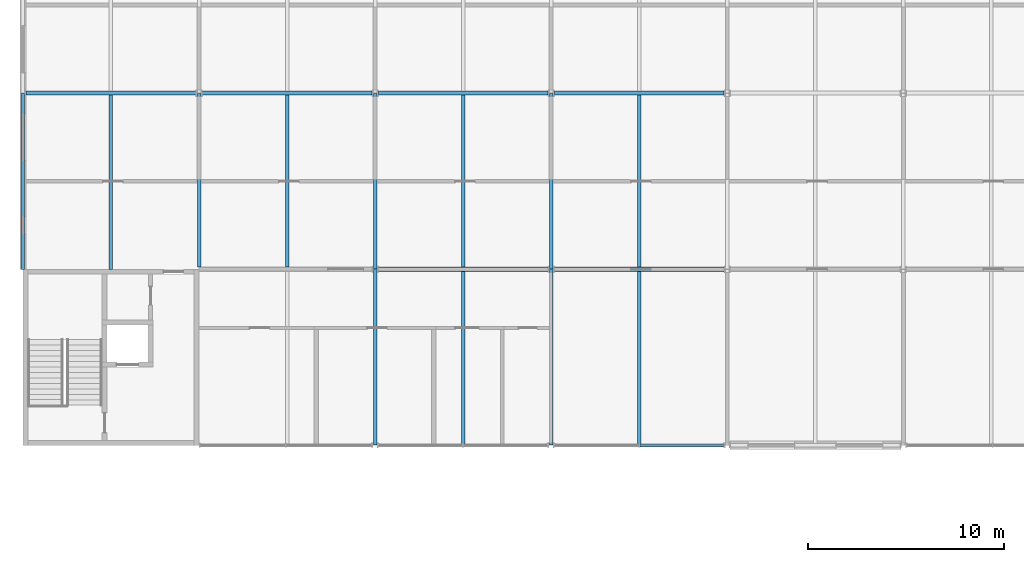
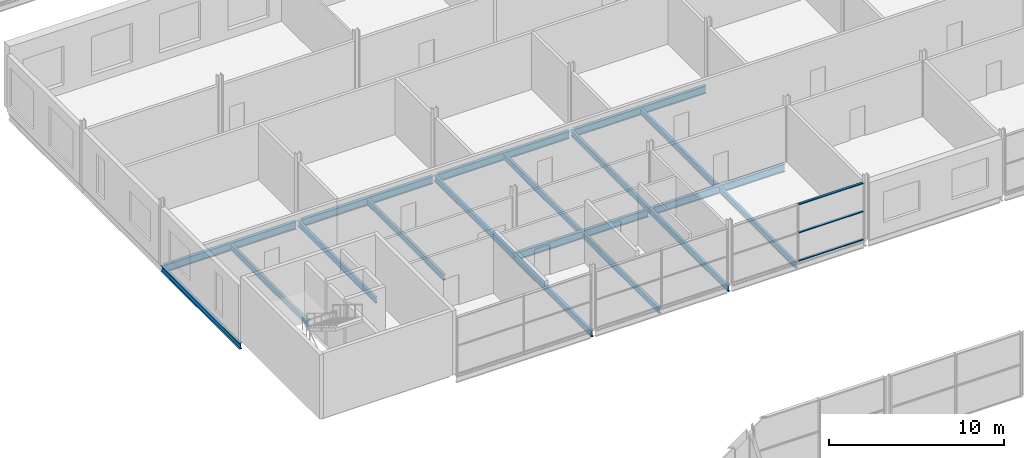
# One storey, part 31 of 97: 18 beams, 3 members, 1 element without a shape of its own.
"""IFC4 building model written with IfcOpenShell, lengths in metres."""

from ifc_helpers import new_model, si_unit, direction, frame, origin, origin_2d, place, context, subcontext, project, spatial, rectangle, i_section, extrude, material, layer, layer_set, material_profile, profile_set, type_object, element, aggregate, save


model = new_model("IFC4")

# Units and contexts
model_context = context("Model", 3, precision=1e-05, world=origin(), true_north=direction((0.0, 1.0)))
body_context = subcontext(model_context, "Body", "Model", "MODEL_VIEW")
ifc_project = project(units=[si_unit("LENGTHUNIT", "METRE"), si_unit("AREAUNIT", "SQUARE_METRE"), si_unit("VOLUMEUNIT", "CUBIC_METRE"), si_unit("PLANEANGLEUNIT", "RADIAN"), si_unit("MASSUNIT", "GRAM", prefix="KILO")], contexts=[model_context])

# Site, building, storey
site_placement = place(None, origin())
site = spatial("IfcSite", under=ifc_project, at=site_placement, CompositionType="ELEMENT")
building_placement = place(site_placement, origin())
building = spatial("IfcBuilding", under=site, at=building_placement, Name="Corbel Yard City Hall", CompositionType="ELEMENT")
storey_placement = place(building_placement, frame((0.0, 0.0, 6.0)))
storey = spatial("IfcBuildingStorey", under=building, at=storey_placement, Name="L01", CompositionType="ELEMENT", Elevation=6.0)

# Beams
ifc_material_1 = material(Name="Steel Grade 300 (300 MPa yield)", Category="steel")
ifc_material_profile_1 = material_profile(ifc_material_1, i_section(OverallWidth=0.177978515625, OverallDepth=0.403076171875, WebThickness=0.007568359375, FlangeThickness=0.010986328125, at=origin_2d()), Name="410UB53.7")
ifc_profile_set_1 = profile_set([ifc_material_profile_1], Name="Steel Grade 300 (300 MPa yield)")
beam_type_1 = type_object("IfcBeamType", Name="Beam 410UB53.7", PredefinedType="BEAM", material=ifc_profile_set_1)
beam_1_placement = place(storey_placement, frame((9.0, 54.1044921875, -0.3515625), z_axis=(0.0, 1.0, 0.0), x_axis=(-1.0, 0.0, 0.0)))
element("IfcBeam", 1, at=beam_1_placement, inside=storey, type_object=beam_type_1, Name="Beam 410UB53.7 SB6 L01floor", PredefinedType="BEAM", context=body_context, shape_type="SweptSolid", body=[
    extrude(i_section(OverallWidth=0.177978515625, OverallDepth=0.403076171875, WebThickness=0.007568359375, FlangeThickness=0.010986328125, at=origin_2d()), origin(), (0.0, 0.0, 1.0), 8.8876953125),
])
beam_2_placement = place(storey_placement, frame((18.0, 45.005859375, -0.3515625), z_axis=(0.0, 1.0, 0.0), x_axis=(-1.0, 0.0, 0.0)))
element("IfcBeam", 2, at=beam_2_placement, inside=storey, type_object=beam_type_1, Name="Beam 410UB53.7 SB6 L01floor", PredefinedType="BEAM", context=body_context, shape_type="SweptSolid", body=[
    extrude(i_section(OverallWidth=0.177978515625, OverallDepth=0.403076171875, WebThickness=0.007568359375, FlangeThickness=0.010986328125, at=origin_2d()), origin(), (0.0, 0.0, 1.0), 8.986328125),
])
beam_3_placement = place(storey_placement, frame((18.0, 54.0078125, -0.3515625), z_axis=(0.0, 1.0, 0.0), x_axis=(-1.0, 0.0, 0.0)))
element("IfcBeam", 3, at=beam_3_placement, inside=storey, type_object=beam_type_1, Name="Beam 410UB53.7 SB6 L01floor", PredefinedType="BEAM", context=body_context, shape_type="SweptSolid", body=[
    extrude(i_section(OverallWidth=0.177978515625, OverallDepth=0.403076171875, WebThickness=0.007568359375, FlangeThickness=0.010986328125, at=origin_2d()), origin(), (0.0, 0.0, 1.0), 8.984375),
])
beam_4_placement = place(storey_placement, frame((27.0, 45.005859375, -0.3515625), z_axis=(0.0, 1.0, 0.0), x_axis=(-1.0, 0.0, 0.0)))
element("IfcBeam", 4, at=beam_4_placement, inside=storey, type_object=beam_type_1, Name="Beam 410UB53.7 SB6 L01floor", PredefinedType="BEAM", context=body_context, shape_type="SweptSolid", body=[
    extrude(i_section(OverallWidth=0.177978515625, OverallDepth=0.403076171875, WebThickness=0.007568359375, FlangeThickness=0.010986328125, at=origin_2d()), origin(), (0.0, 0.0, 1.0), 8.986328125),
])
beam_5_placement = place(storey_placement, frame((27.0, 54.0078125, -0.3515625), z_axis=(0.0, 1.0, 0.0), x_axis=(-1.0, 0.0, 0.0)))
element("IfcBeam", 5, at=beam_5_placement, inside=storey, type_object=beam_type_1, Name="Beam 410UB53.7 SB6 L01floor", PredefinedType="BEAM", context=body_context, shape_type="SweptSolid", body=[
    extrude(i_section(OverallWidth=0.177978515625, OverallDepth=0.403076171875, WebThickness=0.007568359375, FlangeThickness=0.010986328125, at=origin_2d()), origin(), (0.0, 0.0, 1.0), 8.984375),
])
ifc_material_profile_2 = material_profile(ifc_material_1, i_section(OverallWidth=0.177978515625, OverallDepth=0.406005859375, WebThickness=0.0078125, FlangeThickness=0.0126953125, at=origin_2d()), Name="410UB59.7")
ifc_profile_set_2 = profile_set([ifc_material_profile_2], Name="Steel Grade 300 (300 MPa yield)")
beam_type_2 = type_object("IfcBeamType", Name="Edge beam 410UB59.7", PredefinedType="BEAM", material=ifc_profile_set_2)
beam_6_placement = place(storey_placement, frame((0.0, 54.0, -0.35302734375), z_axis=(0.0, 1.0, 0.0), x_axis=(-1.0, 0.0, 0.0)))
element("IfcBeam", 6, at=beam_6_placement, inside=storey, type_object=beam_type_2, Name="Edge beam 410UB59.7 EB2 L01floor", PredefinedType="BEAM", context=body_context, shape_type="SweptSolid", body=[
    extrude(i_section(OverallWidth=0.177978515625, OverallDepth=0.406005859375, WebThickness=0.0078125, FlangeThickness=0.0126953125, at=origin_2d()), origin(), (0.0, 0.0, 1.0), 8.994140625),
])
ifc_material_profile_3 = material_profile(ifc_material_1, i_section(OverallWidth=0.208984375, OverallDepth=0.528076171875, WebThickness=0.009521484375, FlangeThickness=0.01318359375, at=origin_2d()), Name="530UB82.0")
ifc_profile_set_3 = profile_set([ifc_material_profile_3], Name="Steel Grade 300 (300 MPa yield)")
beam_type_3 = type_object("IfcBeamType", Name="Girder 530UB82.0", PredefinedType="BEAM", material=ifc_profile_set_3)
for number, where, z_axis, x_axis, name in (
    (7, (18.16357421875, 54.0, -0.4140625), (1.0, 0.0, 0.0), (0.0, 1.0, 0.0), "Girder 530UB82.0 GB3 L01floor"),
    (8, (27.16357421875, 54.0, -0.4140625), (1.0, 0.0, 0.0), (0.0, 1.0, 0.0), "Girder 530UB82.0 GB3 L01floor"),
):
    element("IfcBeam", number, at=place(storey_placement, frame(where, z_axis=z_axis, x_axis=x_axis)), inside=storey, type_object=beam_type_3, Name=name, PredefinedType="BEAM", context=body_context, shape_type="SweptSolid", body=[
        extrude(i_section(OverallWidth=0.208984375, OverallDepth=0.528076171875, WebThickness=0.009521484375, FlangeThickness=0.01318359375, at=origin_2d()), origin(), (0.0, 0.0, 1.0), 8.6728515625),
    ])
beam_7_placement = place(storey_placement, frame((0.157470703125, 63.0, -0.4140625), z_axis=(1.0, 0.0, 0.0), x_axis=(0.0, 1.0, 0.0)))
element("IfcBeam", 9, at=beam_7_placement, inside=storey, type_object=beam_type_3, Name="Girder 530UB82.0 GB3 L01floor", PredefinedType="BEAM", context=body_context, shape_type="SweptSolid", body=[
    extrude(i_section(OverallWidth=0.208984375, OverallDepth=0.528076171875, WebThickness=0.009521484375, FlangeThickness=0.01318359375, at=origin_2d()), origin(), (0.0, 0.0, 1.0), 8.678955078125),
])
for number, where, z_axis, x_axis, name in (
    (10, (9.16357421875, 63.0, -0.4140625), (1.0, 0.0, 0.0), (0.0, 1.0, 0.0), "Girder 530UB82.0 GB3 L01floor"),
    (11, (18.16357421875, 63.0, -0.4140625), (1.0, 0.0, 0.0), (0.0, 1.0, 0.0), "Girder 530UB82.0 GB3 L01floor"),
    (12, (27.16357421875, 63.0, -0.4140625), (1.0, 0.0, 0.0), (0.0, 1.0, 0.0), "Girder 530UB82.0 GB3 L01floor"),
):
    element("IfcBeam", number, at=place(storey_placement, frame(where, z_axis=z_axis, x_axis=x_axis)), inside=storey, type_object=beam_type_3, Name=name, PredefinedType="BEAM", context=body_context, shape_type="SweptSolid", body=[
        extrude(i_section(OverallWidth=0.208984375, OverallDepth=0.528076171875, WebThickness=0.009521484375, FlangeThickness=0.01318359375, at=origin_2d()), origin(), (0.0, 0.0, 1.0), 8.6728515625),
    ])
ifc_material_profile_4 = material_profile(ifc_material_1, i_section(OverallWidth=0.177978515625, OverallDepth=0.403076171875, WebThickness=0.007568359375, FlangeThickness=0.010986328125, at=origin_2d()), Name="410UB53.7")
ifc_profile_set_4 = profile_set([ifc_material_profile_4], Name="Steel Grade 300 (300 MPa yield)")
beam_type_4 = type_object("IfcBeamType", Name="Secondary beam 410UB53.7", PredefinedType="JOIST", material=ifc_profile_set_4)
beam_8_placement = place(storey_placement, frame((4.5, 54.0, -0.3515625), z_axis=(0.0, 1.0, 0.0), x_axis=(-1.0, 0.0, 0.0)))
element("IfcBeam", 13, at=beam_8_placement, inside=storey, type_object=beam_type_4, Name="Secondary beam 410UB53.7 SB5 L01floor", PredefinedType="JOIST", context=body_context, shape_type="SweptSolid", body=[
    extrude(i_section(OverallWidth=0.177978515625, OverallDepth=0.403076171875, WebThickness=0.007568359375, FlangeThickness=0.010986328125, at=origin_2d()), origin(), (0.0, 0.0, 1.0), 8.8955078125),
])
beam_9_placement = place(storey_placement, frame((13.5, 54.1044921875, -0.3515625), z_axis=(0.0, 1.0, 0.0), x_axis=(-1.0, 0.0, 0.0)))
element("IfcBeam", 14, at=beam_9_placement, inside=storey, type_object=beam_type_4, Name="Secondary beam 410UB53.7 SB5 L01floor", PredefinedType="JOIST", context=body_context, shape_type="SweptSolid", body=[
    extrude(i_section(OverallWidth=0.177978515625, OverallDepth=0.403076171875, WebThickness=0.007568359375, FlangeThickness=0.010986328125, at=origin_2d()), origin(), (0.0, 0.0, 1.0), 8.791015625),
])
beam_10_placement = place(storey_placement, frame((22.5, 45.089111328125, -0.3515625), z_axis=(0.0, 1.0, 0.0), x_axis=(-1.0, 0.0, 0.0)))
element("IfcBeam", 15, at=beam_10_placement, inside=storey, type_object=beam_type_4, Name="Secondary beam 410UB53.7 SB5 L01floor", PredefinedType="JOIST", context=body_context, shape_type="SweptSolid", body=[
    extrude(i_section(OverallWidth=0.177978515625, OverallDepth=0.403076171875, WebThickness=0.007568359375, FlangeThickness=0.010986328125, at=origin_2d()), origin(), (0.0, 0.0, 1.0), 8.806396484375),
])
beam_11_placement = place(storey_placement, frame((22.5, 54.1044921875, -0.3515625), z_axis=(0.0, 1.0, 0.0), x_axis=(-1.0, 0.0, 0.0)))
element("IfcBeam", 16, at=beam_11_placement, inside=storey, type_object=beam_type_4, Name="Secondary beam 410UB53.7 SB5 L01floor", PredefinedType="JOIST", context=body_context, shape_type="SweptSolid", body=[
    extrude(i_section(OverallWidth=0.177978515625, OverallDepth=0.403076171875, WebThickness=0.007568359375, FlangeThickness=0.010986328125, at=origin_2d()), origin(), (0.0, 0.0, 1.0), 8.791015625),
])
beam_12_placement = place(storey_placement, frame((31.5, 45.089111328125, -0.3515625), z_axis=(0.0, 1.0, 0.0), x_axis=(-1.0, 0.0, 0.0)))
element("IfcBeam", 17, at=beam_12_placement, inside=storey, type_object=beam_type_4, Name="Secondary beam 410UB53.7 SB5 L01floor", PredefinedType="JOIST", context=body_context, shape_type="SweptSolid", body=[
    extrude(i_section(OverallWidth=0.177978515625, OverallDepth=0.403076171875, WebThickness=0.007568359375, FlangeThickness=0.010986328125, at=origin_2d()), origin(), (0.0, 0.0, 1.0), 8.806396484375),
])
beam_13_placement = place(storey_placement, frame((31.5, 54.1044921875, -0.3515625), z_axis=(0.0, 1.0, 0.0), x_axis=(-1.0, 0.0, 0.0)))
element("IfcBeam", 18, at=beam_13_placement, inside=storey, type_object=beam_type_4, Name="Secondary beam 410UB53.7 SB5 L01floor", PredefinedType="JOIST", context=body_context, shape_type="SweptSolid", body=[
    extrude(i_section(OverallWidth=0.177978515625, OverallDepth=0.403076171875, WebThickness=0.007568359375, FlangeThickness=0.010986328125, at=origin_2d()), origin(), (0.0, 0.0, 1.0), 8.791015625),
])

# Curtain wall, members
ifc_material_2 = material(Name="Aluminium extrusion", Category="aluminium")
ifc_layer = layer(ifc_material_2, 0.199951171875)
ifc_layer_set = layer_set([ifc_layer], Name="Aluminium extrusion")
curtain_wall_type = type_object("IfcCurtainWallType", Name="CW1", PredefinedType="USERDEFINED", material=ifc_layer_set)
curtain_wall_placement = place(storey_placement, origin())
curtain_wall = element("IfcCurtainWall", 19, at=curtain_wall_placement, inside=storey, type_object=curtain_wall_type, Name="Curtain wall CW1 L01", ObjectType="CURTAIN WALL", PredefinedType="USERDEFINED")
ifc_material_profile_5 = material_profile(ifc_material_2, rectangle(XDim=0.14990234375, YDim=0.06494140625, at=origin_2d()), Name="150x65")
ifc_profile_set_5 = profile_set([ifc_material_profile_5], Name="Aluminium extrusion")
member_type = type_object("IfcMemberType", Name="TR1", PredefinedType="USERDEFINED", material=ifc_profile_set_5)
member_1_placement = place(storey_placement, frame((31.532470703125, 45.0, 0.032470703125), z_axis=(1.0, 0.0, 0.0), x_axis=(0.0, 1.0, 0.0)))
member_1 = element("IfcMember", 20, at=member_1_placement, type_object=member_type, Name="CW1 transom 2.1", ObjectType="TRANSOM", PredefinedType="USERDEFINED", context=body_context, shape_type="SweptSolid", body=[
    extrude(rectangle(XDim=0.14990234375, YDim=0.06494140625, at=origin_2d()), origin(), (0.0, 0.0, 1.0), 4.2724609375),
])
member_2_placement = place(storey_placement, frame((31.532470703125, 45.0, 1.99560546875), z_axis=(1.0, 0.0, 0.0), x_axis=(0.0, 1.0, 0.0)))
member_2 = element("IfcMember", 21, at=member_2_placement, type_object=member_type, Name="CW1 transom 2.2", ObjectType="TRANSOM", PredefinedType="USERDEFINED", context=body_context, shape_type="SweptSolid", body=[
    extrude(rectangle(XDim=0.14990234375, YDim=0.06494140625, at=origin_2d()), origin(), (0.0, 0.0, 1.0), 4.2724609375),
])
member_3_placement = place(storey_placement, frame((31.532470703125, 45.0, 3.95849609375), z_axis=(1.0, 0.0, 0.0), x_axis=(0.0, 1.0, 0.0)))
member_3 = element("IfcMember", 22, at=member_3_placement, type_object=member_type, Name="CW1 transom 2.3", ObjectType="TRANSOM", PredefinedType="USERDEFINED", context=body_context, shape_type="SweptSolid", body=[
    extrude(rectangle(XDim=0.14990234375, YDim=0.06494140625, at=origin_2d()), origin(), (0.0, 0.0, 1.0), 4.2724609375),
])
aggregate(curtain_wall, [member_1, member_2, member_3])

save(model, "model.ifc")
